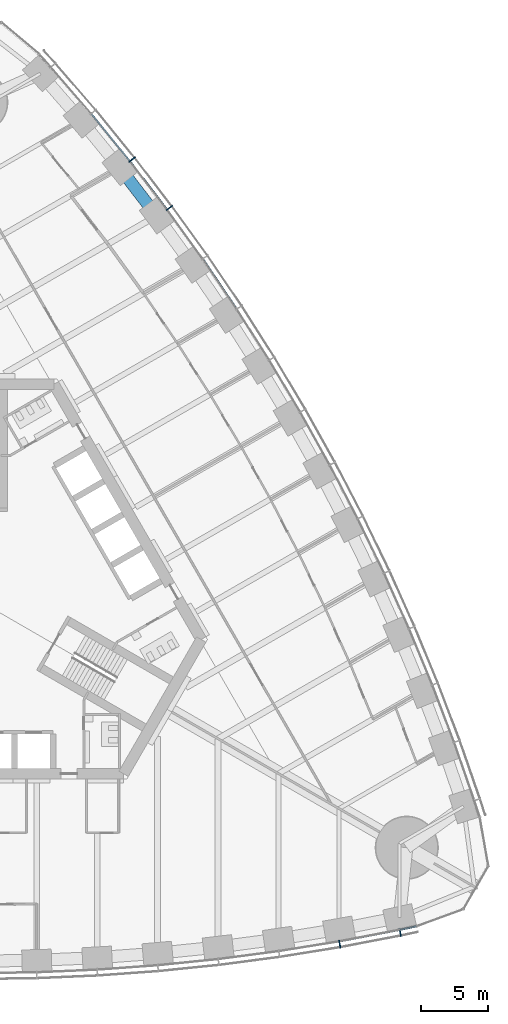
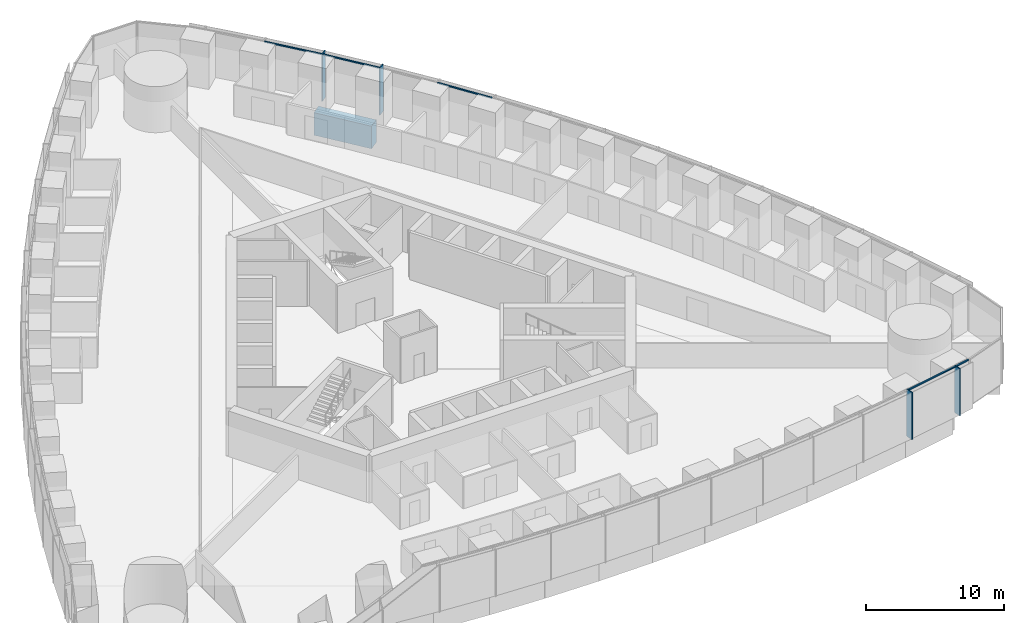
# One storey, part 5 of 18: 9 members, 1 beam, 2 elements without a shape of their own.
"""IFC4 building model written with IfcOpenShell, lengths in metres."""

from ifc_helpers import new_model, si_unit, direction, frame, origin, origin_2d, place, context, subcontext, project, spatial, rectangle, extrude, material, material_profile, profile_set, type_object, element, aggregate, save


model = new_model("IFC4")

# Units and contexts
model_context = context("Model", 3, precision=1e-05, world=origin(), true_north=direction((0.0, 1.0)))
body_context = subcontext(model_context, "Body", "Model", "MODEL_VIEW")
ifc_project = project(units=[si_unit("LENGTHUNIT", "METRE"), si_unit("AREAUNIT", "SQUARE_METRE"), si_unit("VOLUMEUNIT", "CUBIC_METRE"), si_unit("PLANEANGLEUNIT", "RADIAN"), si_unit("MASSUNIT", "GRAM", prefix="KILO")], contexts=[model_context])

# Site, building, storey
site_placement = place(None, origin())
site = spatial("IfcSite", under=ifc_project, at=site_placement, CompositionType="ELEMENT")
building_placement = place(site_placement, origin())
building = spatial("IfcBuilding", under=site, at=building_placement, Name="Trefoil Bronze Tower", CompositionType="ELEMENT")
storey_placement = place(building_placement, frame((0.0, 0.0, 75.300048828125)))
storey = spatial("IfcBuildingStorey", under=building, at=storey_placement, Name="L17", CompositionType="ELEMENT", Elevation=75.300048828125)

# Curtain wall, members
ifc_material_1 = material(Name="Tinted solar-control glass", Category="glass")
curtain_wall_type = type_object("IfcCurtainWallType", Name="Bronze office curtain wall", PredefinedType="USERDEFINED", material=ifc_material_1)
curtain_wall_1_placement = place(storey_placement, origin())
curtain_wall_1 = element("IfcCurtainWall", 1, at=curtain_wall_1_placement, inside=storey, type_object=curtain_wall_type, Name="CW-A L17 F1", ObjectType="CURTAIN WALL", PredefinedType="USERDEFINED")
ifc_material_2 = material(Name="Bronze-finish aluminium", Category="aluminium")
ifc_material_profile_1 = material_profile(ifc_material_2, rectangle(XDim=0.60009765625, YDim=0.080078125, at=origin_2d()), Name="CW-A mullion")
ifc_profile_set_1 = profile_set([ifc_material_profile_1], Name="Bronze-finish aluminium")
member_type_1 = type_object("IfcMemberType", Name="Bronze office curtain wall mullion", PredefinedType="MULLION", material=ifc_profile_set_1)
member_1_placement = place(storey_placement, frame((27.05224609375, -25.67578125, 0.0), z_axis=(0.0, 0.0, 1.0), x_axis=(-0.174131146426, 0.984722470468, 0.0)))
member_1 = element("IfcMember", 2, at=member_1_placement, type_object=member_type_1, Name="CW-A L17 F1 mullion 15", PredefinedType="MULLION", context=body_context, shape_type="SweptSolid", body=[
    extrude(rectangle(XDim=0.60009765625, YDim=0.080078125, at=origin_2d()), origin(), (0.0, 0.0, 1.0), 4.179931640625),
])
member_2_placement = place(storey_placement, frame((31.559326171875, -24.81005859375, 0.0), z_axis=(0.0, 0.0, 1.0), x_axis=(-0.197910006829, 0.98022019424, 0.0)))
member_2 = element("IfcMember", 3, at=member_2_placement, type_object=member_type_1, Name="CW-A L17 F1 mullion 16", PredefinedType="MULLION", context=body_context, shape_type="SweptSolid", body=[
    extrude(rectangle(XDim=0.60009765625, YDim=0.080078125, at=origin_2d()), origin(), (0.0, 0.0, 1.0), 4.179931640625),
])

curtain_wall_2_placement = place(storey_placement, origin())
curtain_wall_2 = element("IfcCurtainWall", 4, at=curtain_wall_2_placement, inside=storey, type_object=curtain_wall_type, Name="CW-A L17 F2", ObjectType="CURTAIN WALL", PredefinedType="USERDEFINED")
member_3_placement = place(storey_placement, frame((14.364013671875, 29.117919921875, 0.0), z_axis=(0.0, 0.0, 1.0), x_axis=(-0.802126748469, -0.59715381552, 0.0)))
member_3 = element("IfcMember", 5, at=member_3_placement, type_object=member_type_1, Name="CW-A L17 F2 mullion 13", PredefinedType="MULLION", context=body_context, shape_type="SweptSolid", body=[
    extrude(rectangle(XDim=0.60009765625, YDim=0.080078125, at=origin_2d()), origin(), (0.0, 0.0, 1.0), 4.179931640625),
])
member_4_placement = place(storey_placement, frame((11.595458984375, 32.7255859375, 0.0), z_axis=(0.0, 0.0, 1.0), x_axis=(-0.784304615744, -0.620375910011, 0.0)))
member_4 = element("IfcMember", 6, at=member_4_placement, type_object=member_type_1, Name="CW-A L17 F2 mullion 14", PredefinedType="MULLION", context=body_context, shape_type="SweptSolid", body=[
    extrude(rectangle(XDim=0.60009765625, YDim=0.080078125, at=origin_2d()), origin(), (0.0, 0.0, 1.0), 4.179931640625),
])

# Member
ifc_material_3 = material(Name="Bronze-finish aluminium", Category="aluminium")
ifc_material_profile_2 = material_profile(ifc_material_3, rectangle(XDim=0.1201171875, YDim=0.10009765625, at=origin_2d()), Name="CW-A transom")
ifc_profile_set_2 = profile_set([ifc_material_profile_2], Name="Bronze-finish aluminium")
member_type_2 = type_object("IfcMemberType", Name="Bronze office curtain wall transom", PredefinedType="USERDEFINED", material=ifc_profile_set_2)
member_5_placement = place(storey_placement, frame((27.05810546875, -25.470947265625, 4.1298828125), z_axis=(0.982053603997, 0.188602011855, 0.0), x_axis=(-0.188602011855, 0.982053603997, 0.0)))
member_5 = element("IfcMember", 7, at=member_5_placement, type_object=member_type_2, Name="CW-A L17 F1 transom 15", ObjectType="TRANSOM", PredefinedType="USERDEFINED", context=body_context, shape_type="SweptSolid", body=[
    extrude(rectangle(XDim=0.1201171875, YDim=0.10009765625, at=origin_2d()), origin(), (0.0, 0.0, 1.0), 4.502197265625),
])

member_6_placement = place(storey_placement, frame((31.559814453125, -24.605712890625, 4.1298828125), z_axis=(0.978266371807, 0.207352129942, 0.0), x_axis=(-0.207352129942, 0.978266371807, 0.0)))
member_6 = element("IfcMember", 8, at=member_6_placement, type_object=member_type_2, Name="CW-A L17 F1 transom 16", ObjectType="TRANSOM", PredefinedType="USERDEFINED", context=body_context, shape_type="SweptSolid", body=[
    extrude(rectangle(XDim=0.1201171875, YDim=0.10009765625, at=origin_2d()), origin(), (0.0, 0.0, 1.0), 1.21044921875),
])

aggregate(curtain_wall_1, [member_1, member_2, member_5, member_6])

member_7_placement = place(storey_placement, frame((19.364990234375, 21.627197265625, 4.1298828125), z_axis=(-0.561508153923, 0.827471203775, 0.0), x_axis=(-0.827471203775, -0.561508153923, 0.0)))
member_7 = element("IfcMember", 9, at=member_7_placement, type_object=member_type_2, Name="CW-A L17 F2 transom 11", ObjectType="TRANSOM", PredefinedType="USERDEFINED", context=body_context, shape_type="SweptSolid", body=[
    extrude(rectangle(XDim=0.1201171875, YDim=0.10009765625, at=origin_2d()), origin(), (0.0, 0.0, 1.0), 4.431884765625),
])

member_8_placement = place(storey_placement, frame((14.178466796875, 29.031494140625, 4.1298828125), z_axis=(-0.608829203216, 0.793301330713, 0.0), x_axis=(-0.793301330713, -0.608829203216, 0.0)))
member_8 = element("IfcMember", 10, at=member_8_placement, type_object=member_type_2, Name="CW-A L17 F2 transom 13", ObjectType="TRANSOM", PredefinedType="USERDEFINED", context=body_context, shape_type="SweptSolid", body=[
    extrude(rectangle(XDim=0.1201171875, YDim=0.10009765625, at=origin_2d()), origin(), (0.0, 0.0, 1.0), 4.458740234375),
])

member_9_placement = place(storey_placement, frame((11.412353515625, 32.6337890625, 4.1298828125), z_axis=(-0.631835540201, 0.775102477185, 0.0), x_axis=(-0.775102477185, -0.631835540201, 0.0)))
member_9 = element("IfcMember", 11, at=member_9_placement, type_object=member_type_2, Name="CW-A L17 F2 transom 14", ObjectType="TRANSOM", PredefinedType="USERDEFINED", context=body_context, shape_type="SweptSolid", body=[
    extrude(rectangle(XDim=0.1201171875, YDim=0.10009765625, at=origin_2d()), origin(), (0.0, 0.0, 1.0), 4.478271484375),
])

aggregate(curtain_wall_2, [member_3, member_4, member_7, member_8, member_9])

# Beam
ifc_material_4 = material(Name="Concrete B80", Category="concrete")
ifc_material_profile_3 = material_profile(ifc_material_4, rectangle(XDim=0.89990234375, YDim=2.0, at=origin_2d()), Name="RC 900x2000")
ifc_profile_set_3 = profile_set([ifc_material_profile_3], Name="Concrete B80")
beam_type = type_object("IfcBeamType", Name="Spandrel beam RC 900x2000", PredefinedType="SPANDREL", material=ifc_profile_set_3)
beam_placement = place(storey_placement, frame((13.42578125, 28.5361328125, -1.199951171875), z_axis=(-0.609338992146, 0.792909826305, 0.0), x_axis=(-0.792909826305, -0.609338992146, 0.0)))
element("IfcBeam", 12, at=beam_placement, inside=storey, type_object=beam_type, Name="Spandrel F2.13 L17", PredefinedType="SPANDREL", context=body_context, shape_type="SweptSolid", body=[
    extrude(rectangle(XDim=0.89990234375, YDim=2.0, at=origin_2d()), origin(), (0.0, 0.0, 1.0), 4.5390625),
])

save(model, "model.ifc")
